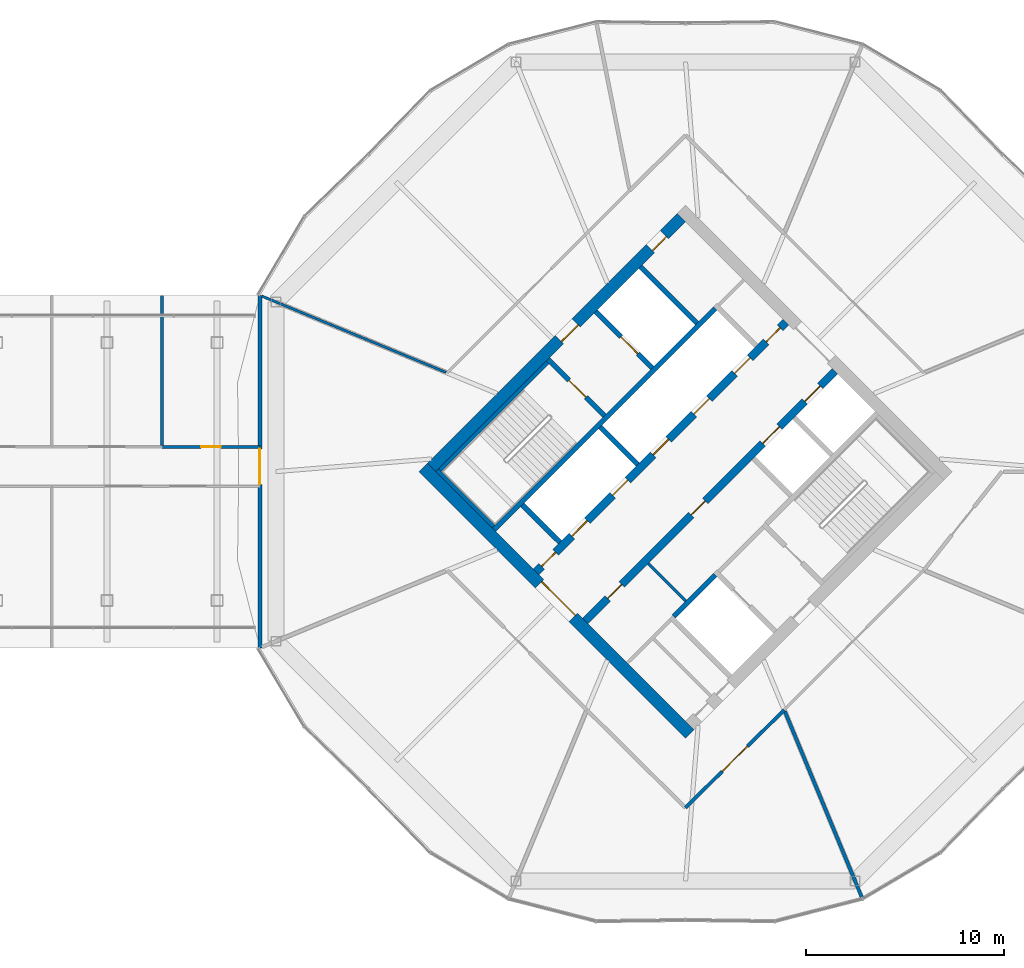
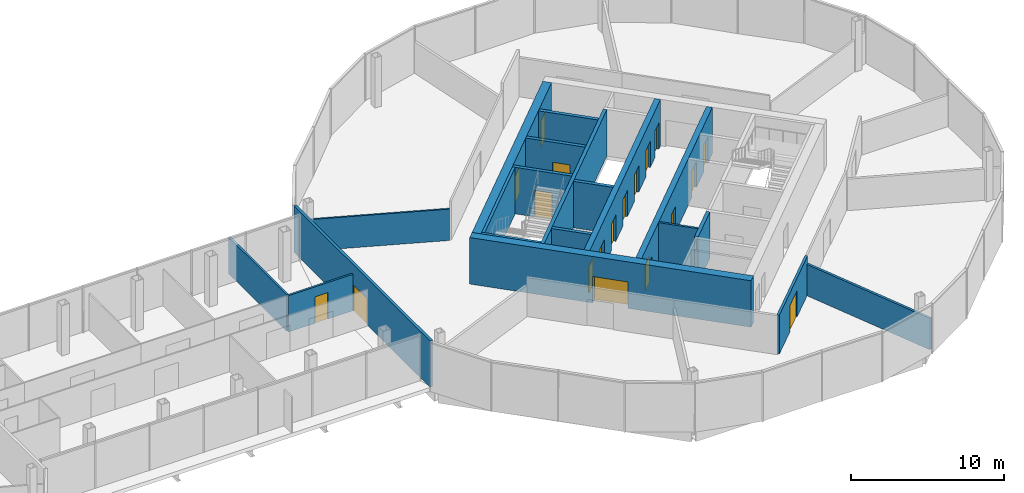
# One storey, part 23 of 26: 20 walls, 19 doors, 19 openings.
"""IFC4 building model written with IfcOpenShell, lengths in metres."""

from ifc_helpers import new_model, si_unit, direction, frame, frame_2d, origin, place, context, subcontext, project, spatial, rectangle, extrude, material, layer, layer_set, type_object, element, fill, save


model = new_model("IFC4")

# Units and contexts
model_context = context("Model", 3, precision=1e-05, world=origin(), true_north=direction((0.0, 1.0)))
body_context = subcontext(model_context, "Body", "Model", "MODEL_VIEW")
ifc_project = project(units=[si_unit("LENGTHUNIT", "METRE"), si_unit("AREAUNIT", "SQUARE_METRE"), si_unit("VOLUMEUNIT", "CUBIC_METRE"), si_unit("PLANEANGLEUNIT", "RADIAN"), si_unit("MASSUNIT", "GRAM", prefix="KILO")], contexts=[model_context])

# Site, building, storey
site_placement = place(None, origin())
site = spatial("IfcSite", under=ifc_project, at=site_placement, CompositionType="ELEMENT")
building_placement = place(site_placement, origin())
building = spatial("IfcBuilding", under=site, at=building_placement, Name="Ogive Gate Towers", CompositionType="ELEMENT")
storey_placement = place(building_placement, frame((0.0, 0.0, 148.800048828125)))
storey = spatial("IfcBuildingStorey", under=building, at=storey_placement, Name="L35", CompositionType="ELEMENT", Elevation=148.800048828125)

# Wall
ifc_material_1 = material(Name="Gypsum board acoustic partition")
ifc_layer_1 = layer(ifc_material_1, 0.175048828125)
ifc_layer_set_1 = layer_set([ifc_layer_1], Name="Acoustic partition 175")
wall_type_1 = type_object("IfcWallType", Name="Acoustic partition 175", PredefinedType="PARTITIONING", material=ifc_layer_set_1)
wall_1_placement = place(storey_placement, frame((44.885986328125, -21.452392578125, 0.0), z_axis=(0.0, 0.0, 1.0), x_axis=(-0.382693022058, 0.923875560272, 0.0)))
element("IfcWall", 1, at=wall_1_placement, inside=storey, type_object=wall_type_1, Name="Partition T2-L35-008", PredefinedType="PARTITIONING", context=body_context, shape_type="SweptSolid", body=[
    extrude(rectangle(XDim=10.13134765625, YDim=0.175048828125, at=frame_2d((5.065673828125, 0.0))), origin(), (0.0, 0.0, 1.0), 2.5),
])

# Wall, opening, door
wall_2_placement = place(storey_placement, frame((36.0, -16.9423828125, 0.0), z_axis=(0.0, 0.0, 1.0), x_axis=(0.710271300177, 0.703928036198, 0.0)))
wall_2 = element("IfcWall", 2, at=wall_2_placement, inside=storey, type_object=wall_type_1, Name="Partition T2-L35-011", PredefinedType="PARTITIONING", context=body_context, shape_type="SweptSolid", body=[
    extrude(rectangle(XDim=7.0048828125, YDim=0.175048828125, at=frame_2d((3.50244140625, 0.0))), origin(), (0.0, 0.0, 1.0), 3.099853515625),
])
opening_1_placement = place(wall_2_placement, frame((2.60205078125, 0.0, 0.0)))
opening_1 = element("IfcOpeningElement", 3, at=opening_1_placement, cuts=wall_2, Name="Opening T2-L35-D02", PredefinedType="OPENING", context=body_context, shape_type="SweptSolid", body=[
    extrude(rectangle(XDim=1.800048828125, YDim=2.10009765625, at=frame_2d((0.89990234375, 1.050048828125))), frame((0.0, 0.09765625, 0.0), z_axis=(0.0, -1.0, 0.0), x_axis=(1.0, 0.0, 0.0)), (0.0, 0.0, 1.0), 0.195068359375),
])
ifc_material_2 = material(Name="Timber door", Category="wood")
door_type_1 = type_object("IfcDoorType", Name="Door pair 1800", OperationType="NOTDEFINED", PredefinedType="DOOR", material=ifc_material_2)
door_1_placement = place(opening_1_placement, origin())
door_1 = element("IfcDoor", 4, at=door_1_placement, inside=storey, type_object=door_type_1, Name="Door T2-L35-D02", OperationType="DOUBLE_DOOR_DOUBLE_SWING", OverallHeight=2.10009765625, OverallWidth=1.800048828125, PredefinedType="DOOR", context=body_context, shape_type="SweptSolid", body=[
    extrude(rectangle(XDim=1.800048828125, YDim=2.10009765625, at=frame_2d((0.89990234375, 1.050048828125))), frame((0.0, 0.02490234375, 0.0), z_axis=(0.0, -1.0, 0.0), x_axis=(1.0, 0.0, 0.0)), (0.0, 0.0, 1.0), 0.050048828125),
])
fill(opening_1, door_1)

# Wall, openings, doors
ifc_material_3 = material(Name="Concrete C60/75", Category="concrete")
ifc_layer_2 = layer(ifc_material_3, 0.60009765625)
ifc_layer_set_2 = layer_set([ifc_layer_2], Name="Core wall 600 mm")
wall_type_2 = type_object("IfcWallType", Name="Core wall 600 mm", PredefinedType="SHEAR", material=ifc_layer_set_2)
wall_3_placement = place(storey_placement, frame((23.201416015625, 0.212158203125, 0.0), z_axis=(0.0, 0.0, 1.0), x_axis=(0.707106781187, 0.707106781187, 0.0)))
wall_3 = element("IfcWall", 5, at=wall_3_placement, inside=storey, type_object=wall_type_2, Name="T2 L35 Core wall 600 mm", PredefinedType="SHEAR", context=body_context, shape_type="SweptSolid", body=[
    extrude(rectangle(XDim=17.7998046875, YDim=0.60009765625, at=frame_2d((8.89990234375, 0.0))), origin(), (0.0, 0.0, 1.0), 3.699951171875),
])
opening_2_placement = place(wall_3_placement, frame((9.10009765625, 0.0, 0.0)))
opening_2 = element("IfcOpeningElement", 6, at=opening_2_placement, cuts=wall_3, Name="Opening KD-T2-L35-18", PredefinedType="OPENING", context=body_context, shape_type="SweptSolid", body=[
    extrude(rectangle(XDim=1.199951171875, YDim=2.10009765625, at=frame_2d((0.60009765625, 1.050048828125))), frame((0.0, 0.31005859375, 0.0), z_axis=(0.0, -1.0, 0.0), x_axis=(1.0, 0.0, 0.0)), (0.0, 0.0, 1.0), 0.6201171875),
])
opening_3_placement = place(wall_3_placement, frame((15.60009765625, 0.0, 0.0)))
opening_3 = element("IfcOpeningElement", 7, at=opening_3_placement, cuts=wall_3, Name="Opening KD-T2-L35-20", PredefinedType="OPENING", context=body_context, shape_type="SweptSolid", body=[
    extrude(rectangle(XDim=1.0, YDim=2.10009765625, at=frame_2d((0.5, 1.050048828125))), frame((0.0, 0.31005859375, 0.0), z_axis=(0.0, -1.0, 0.0), x_axis=(1.0, 0.0, 0.0)), (0.0, 0.0, 1.0), 0.6201171875),
])
door_type_2 = type_object("IfcDoorType", Name="Accessible WC door 1000 x 2100", OperationType="NOTDEFINED", PredefinedType="DOOR", material=ifc_material_2)
door_2_placement = place(opening_3_placement, origin())
door_2 = element("IfcDoor", 8, at=door_2_placement, inside=storey, type_object=door_type_2, Name="T2 L35 Core door", OperationType="SINGLE_SWING_LEFT", OverallHeight=2.10009765625, OverallWidth=1.0, PredefinedType="DOOR", context=body_context, shape_type="SweptSolid", body=[
    extrude(rectangle(XDim=1.0, YDim=2.10009765625, at=frame_2d((0.5, 1.050048828125))), frame((0.0, -0.125, 0.0), z_axis=(0.0, -1.0, 0.0), x_axis=(1.0, 0.0, 0.0)), (0.0, 0.0, 1.0), 0.050048828125),
])
fill(opening_3, door_2)
ifc_material_4 = material(Name="Steel fire door", Category="steel")
door_type_3 = type_object("IfcDoorType", Name="Core door FD60S 1200 x 2100", OperationType="NOTDEFINED", PredefinedType="DOOR", material=ifc_material_4)
door_3_placement = place(opening_2_placement, origin())
door_3 = element("IfcDoor", 9, at=door_3_placement, inside=storey, type_object=door_type_3, Name="T2 L35 Fire-fighting lobby door", OperationType="SINGLE_SWING_LEFT", OverallHeight=2.10009765625, OverallWidth=1.199951171875, PredefinedType="DOOR", context=body_context, shape_type="SweptSolid", body=[
    extrude(rectangle(XDim=1.199951171875, YDim=2.10009765625, at=frame_2d((0.60009765625, 1.050048828125))), frame((0.0, -0.125, 0.0), z_axis=(0.0, -1.0, 0.0), x_axis=(1.0, 0.0, 0.0)), (0.0, 0.0, 1.0), 0.050048828125),
])
fill(opening_2, door_3)

# Wall, opening, door
wall_4_placement = place(storey_placement, frame((36.212158203125, -13.222900390625, 0.0), z_axis=(0.0, 0.0, 1.0), x_axis=(-0.707106781187, 0.707106781187, 0.0)))
wall_4 = element("IfcWall", 10, at=wall_4_placement, inside=storey, type_object=wall_type_2, Name="T2 L35 Core wall 600 mm", PredefinedType="SHEAR", context=body_context, shape_type="SweptSolid", body=[
    extrude(rectangle(XDim=19.0, YDim=0.60009765625, at=frame_2d((9.5, 0.0))), origin(), (0.0, 0.0, 1.0), 3.699951171875),
])
opening_4_placement = place(wall_4_placement, frame((8.300048828125, 0.0, 0.0)))
opening_4 = element("IfcOpeningElement", 11, at=opening_4_placement, cuts=wall_4, Name="Opening KD-T2-L35-01", PredefinedType="OPENING", context=body_context, shape_type="SweptSolid", body=[
    extrude(rectangle(XDim=2.39990234375, YDim=2.10009765625, at=frame_2d((1.199951171875, 1.050048828125))), frame((0.0, 0.31005859375, 0.0), z_axis=(0.0, -1.0, 0.0), x_axis=(1.0, 0.0, 0.0)), (0.0, 0.0, 1.0), 0.6201171875),
])
door_type_4 = type_object("IfcDoorType", Name="Core double door FD60S 2400 x 2100", OperationType="DOUBLE_DOOR_SINGLE_SWING", PredefinedType="DOOR", material=ifc_material_4)
door_4_placement = place(opening_4_placement, origin())
door_4 = element("IfcDoor", 12, at=door_4_placement, inside=storey, type_object=door_type_4, Name="T2 L35 Core door double", OperationType="DOUBLE_DOOR_SINGLE_SWING", OverallHeight=2.10009765625, OverallWidth=2.39990234375, PredefinedType="DOOR", context=body_context, shape_type="SweptSolid", body=[
    extrude(rectangle(XDim=2.39990234375, YDim=2.10009765625, at=frame_2d((1.199951171875, 1.050048828125))), frame((0.0, -0.125, 0.0), z_axis=(0.0, -1.0, 0.0), x_axis=(1.0, 0.0, 0.0)), (0.0, 0.0, 1.0), 0.050048828125),
])
fill(opening_4, door_4)

# Wall
ifc_material_5 = material(Name="Gypsum board partition")
ifc_layer_3 = layer(ifc_material_5, 0.125)
ifc_layer_set_3 = layer_set([ifc_layer_3], Name="Partition 125")
wall_type_3 = type_object("IfcWallType", Name="Partition 125", PredefinedType="PARTITIONING", material=ifc_layer_set_3)
wall_5_placement = place(storey_placement, frame((14.6474609375, 8.844482421875, 0.0), z_axis=(0.0, 0.0, 1.0), x_axis=(0.923883575944, -0.382673670509, 0.0)))
element("IfcWall", 13, at=wall_5_placement, inside=storey, type_object=wall_type_3, Name="Partition T2-L35-005", PredefinedType="PARTITIONING", context=body_context, shape_type="SweptSolid", body=[
    extrude(rectangle(XDim=10.04833984375, YDim=0.125, at=frame_2d((5.024169921875, 0.0))), origin(), (0.0, 0.0, 1.0), 2.5),
])

# Wall, opening, door
ifc_material_6 = material(Name="Fire-rated gypsum board partition")
ifc_layer_4 = layer(ifc_material_6, 0.14990234375)
ifc_layer_set_4 = layer_set([ifc_layer_4], Name="Partition wall 150")
wall_type_4 = type_object("IfcWallType", Name="Partition wall 150", PredefinedType="PARTITIONING", material=ifc_layer_set_4)
wall_6_placement = place(storey_placement, frame((9.6171875, 1.25, 0.0), z_axis=(0.0, 0.0, 1.0), x_axis=(1.0, 0.0, 0.0)))
wall_6 = element("IfcWall", 14, at=wall_6_placement, inside=storey, type_object=wall_type_4, Name="L35 partition 006", PredefinedType="PARTITIONING", context=body_context, shape_type="SweptSolid", body=[
    extrude(rectangle(XDim=4.930419921875, YDim=0.14990234375, at=frame_2d((2.46533203125, 0.0))), origin(), (0.0, 0.0, 1.0), 2.89990234375),
])
opening_5_placement = place(wall_6_placement, frame((1.965087890625, 0.0, 0.0)))
opening_5 = element("IfcOpeningElement", 15, at=opening_5_placement, cuts=wall_6, Name="Opening PO261", PredefinedType="OPENING", context=body_context, shape_type="SweptSolid", body=[
    extrude(rectangle(XDim=1.0, YDim=2.10009765625, at=frame_2d((0.5, 1.050048828125))), frame((0.0, 0.0849609375, 0.0), z_axis=(0.0, -1.0, 0.0), x_axis=(1.0, 0.0, 0.0)), (0.0, 0.0, 1.0), 0.169921875),
])
door_type_5 = type_object("IfcDoorType", Name="Interior fire door FD60S 1000 x 2100", OperationType="NOTDEFINED", PredefinedType="DOOR", material=ifc_material_4)
door_5_placement = place(opening_5_placement, origin())
door_5 = element("IfcDoor", 16, at=door_5_placement, inside=storey, type_object=door_type_5, Name="Door PO261", OperationType="SINGLE_SWING_LEFT", OverallHeight=2.10009765625, OverallWidth=1.0, PredefinedType="DOOR", context=body_context, shape_type="SweptSolid", body=[
    extrude(rectangle(XDim=1.0, YDim=2.10009765625, at=frame_2d((0.5, 1.050048828125))), frame((0.0, 0.02490234375, 0.0), z_axis=(0.0, -1.0, 0.0), x_axis=(1.0, 0.0, 0.0)), (0.0, 0.0, 1.0), 0.050048828125),
])
fill(opening_5, door_5)

# Wall
wall_7_placement = place(storey_placement, frame((9.6171875, 1.324951171875, 0.0), z_axis=(0.0, 0.0, 1.0), x_axis=(0.0, 1.0, 0.0)))
element("IfcWall", 17, at=wall_7_placement, inside=storey, type_object=wall_type_4, Name="L35 partition 018", PredefinedType="PARTITIONING", context=body_context, shape_type="SweptSolid", body=[
    extrude(rectangle(XDim=7.56103515625, YDim=0.14990234375, at=frame_2d((3.780517578125, 0.0))), origin(), (0.0, 0.0, 1.0), 2.89990234375),
])

# Wall, opening, door
ifc_material_7 = material(Name="Masonry block wall", Category="masonry")
ifc_layer_5 = layer(ifc_material_7, 0.199951171875)
ifc_layer_set_5 = layer_set([ifc_layer_5], Name="Partition wall 200")
wall_type_5 = type_object("IfcWallType", Name="Partition wall 200", PredefinedType="PARTITIONING", material=ifc_layer_set_5)
wall_8_placement = place(storey_placement, frame((14.547607421875, -8.885986328125, 0.0), z_axis=(0.0, 0.0, 1.0), x_axis=(0.0, 1.0, 0.0)))
wall_8 = element("IfcWall", 18, at=wall_8_placement, inside=storey, type_object=wall_type_5, Name="L35 wall 021", PredefinedType="PARTITIONING", context=body_context, shape_type="SweptSolid", body=[
    extrude(rectangle(XDim=17.77197265625, YDim=0.199951171875, at=frame_2d((8.885986328125, 0.0))), origin(), (0.0, 0.0, 1.0), 3.699951171875),
])
opening_6_placement = place(wall_8_placement, frame((8.23583984375, 0.0, 0.0)))
opening_6 = element("IfcOpeningElement", 19, at=opening_6_placement, cuts=wall_8, Name="Opening PO267", PredefinedType="OPENING", context=body_context, shape_type="SweptSolid", body=[
    extrude(rectangle(XDim=1.800048828125, YDim=2.10009765625, at=frame_2d((0.89990234375, 1.050048828125))), frame((0.0, 0.10986328125, 0.0), z_axis=(0.0, -1.0, 0.0), x_axis=(1.0, 0.0, 0.0)), (0.0, 0.0, 1.0), 0.219970703125),
])
door_type_6 = type_object("IfcDoorType", Name="Interior fire double door FD120S 1800 x 2100", OperationType="NOTDEFINED", PredefinedType="DOOR", material=ifc_material_4)
door_6_placement = place(opening_6_placement, origin())
door_6 = element("IfcDoor", 20, at=door_6_placement, inside=storey, type_object=door_type_6, Name="Door PO267", OperationType="DOUBLE_DOOR_DOUBLE_SWING", OverallHeight=2.10009765625, OverallWidth=1.800048828125, PredefinedType="DOOR", context=body_context, shape_type="SweptSolid", body=[
    extrude(rectangle(XDim=1.800048828125, YDim=2.10009765625, at=frame_2d((0.89990234375, 1.050048828125))), frame((0.0, 0.02490234375, 0.0), z_axis=(0.0, -1.0, 0.0), x_axis=(1.0, 0.0, 0.0)), (0.0, 0.0, 1.0), 0.050048828125),
])
fill(opening_6, door_6)

# Walls
ifc_layer_6 = layer(ifc_material_5, 0.14990234375)
ifc_layer_set_6 = layer_set([ifc_layer_6], Name="Room partition 150 mm")
wall_type_6 = type_object("IfcWallType", Name="Room partition 150 mm", PredefinedType="PARTITIONING", material=ifc_layer_set_6)
wall_9_placement = place(storey_placement, frame((36.017578125, -6.523193359375, 0.0), z_axis=(0.0, 0.0, 1.0), x_axis=(-0.707061145201, 0.707152414227, 0.0)))
element("IfcWall", 21, at=wall_9_placement, inside=storey, type_object=wall_type_6, Name="T2 L35 Room partition 150 mm", PredefinedType="PARTITIONING", context=body_context, shape_type="SweptSolid", body=[
    extrude(rectangle(XDim=2.675048828125, YDim=0.14990234375, at=frame_2d((1.33740234375, 0.0))), origin(), (0.0, 0.0, 1.0), 3.699951171875),
])
ifc_layer_7 = layer(ifc_material_3, 0.25)
ifc_layer_set_7 = layer_set([ifc_layer_7], Name="Shaft wall 250 mm")
wall_type_7 = type_object("IfcWallType", Name="Shaft wall 250 mm", PredefinedType="SHEAR", material=ifc_layer_set_7)
wall_10_placement = place(storey_placement, frame((35.41650390625, -7.30078125, 0.0), z_axis=(0.0, 0.0, 1.0), x_axis=(0.707148157867, 0.707065402085, 0.0)))
element("IfcWall", 22, at=wall_10_placement, inside=storey, type_object=wall_type_7, Name="T2 L35 Shaft wall 250 mm", PredefinedType="SHEAR", context=body_context, shape_type="SweptSolid", body=[
    extrude(rectangle(XDim=2.9501953125, YDim=0.25, at=frame_2d((1.47509765625, 0.0))), origin(), (0.0, 0.0, 1.0), 3.699951171875),
])
wall_11_placement = place(storey_placement, frame((26.347900390625, -2.9345703125, 0.0), z_axis=(0.0, 0.0, 1.0), x_axis=(0.707106781187, 0.707106781187, 0.0)))
element("IfcWall", 23, at=wall_11_placement, inside=storey, type_object=wall_type_7, Name="T2 L35 Shaft wall 250 mm", PredefinedType="SHEAR", context=body_context, shape_type="SweptSolid", body=[
    extrude(rectangle(XDim=15.775146484375, YDim=0.25, at=frame_2d((7.8876953125, 0.0))), origin(), (0.0, 0.0, 1.0), 3.699951171875),
])
for number, where, z_axis, x_axis, name in (
    (24, (29.67138671875, -3.57080078125, 0.0), (0.0, 0.0, 1.0), (-0.707152414227, 0.707061145201, 0.0), "T2 L35 Shaft wall 250 mm"),
    (25, (33.595703125, 0.353515625, 0.0), (0.0, 0.0, 1.0), (-0.707061145201, 0.707152414227, 0.0), "T2 L35 Shaft wall 250 mm"),
):
    element("IfcWall", number, at=place(storey_placement, frame(where, z_axis=z_axis, x_axis=x_axis)), inside=storey, type_object=wall_type_7, Name=name, PredefinedType="SHEAR", context=body_context, shape_type="SweptSolid", body=[
        extrude(rectangle(XDim=2.675048828125, YDim=0.25, at=frame_2d((1.33740234375, 0.0))), origin(), (0.0, 0.0, 1.0), 3.699951171875),
    ])

# Wall, opening, door
wall_12_placement = place(storey_placement, frame((31.91650390625, 2.810791015625, 0.0), z_axis=(0.0, 0.0, 1.0), x_axis=(-0.707106781187, 0.707106781187, 0.0)))
wall_12 = element("IfcWall", 26, at=wall_12_placement, inside=storey, type_object=wall_type_7, Name="T2 L35 Shaft wall 250 mm", PredefinedType="SHEAR", context=body_context, shape_type="SweptSolid", body=[
    extrude(rectangle(XDim=4.025146484375, YDim=0.25, at=frame_2d((2.0126953125, 0.0))), origin(), (0.0, 0.0, 1.0), 3.699951171875),
])
opening_7_placement = place(wall_12_placement, frame((1.324951171875, 0.0, 0.0)))
opening_7 = element("IfcOpeningElement", 27, at=opening_7_placement, cuts=wall_12, Name="Opening KD-T2-L35-16", PredefinedType="OPENING", context=body_context, shape_type="SweptSolid", body=[
    extrude(rectangle(XDim=1.199951171875, YDim=2.10009765625, at=frame_2d((0.60009765625, 1.050048828125))), frame((0.0, 0.135009765625, 0.0), z_axis=(0.0, -1.0, 0.0), x_axis=(1.0, 0.0, 0.0)), (0.0, 0.0, 1.0), 0.27001953125),
])
door_7_placement = place(opening_7_placement, origin())
door_7 = element("IfcDoor", 28, at=door_7_placement, inside=storey, type_object=door_type_3, Name="T2 L35 Stair door", OperationType="SINGLE_SWING_LEFT", OverallHeight=2.10009765625, OverallWidth=1.199951171875, PredefinedType="DOOR", context=body_context, shape_type="SweptSolid", body=[
    extrude(rectangle(XDim=1.199951171875, YDim=2.10009765625, at=frame_2d((0.60009765625, 1.050048828125))), frame((0.0, 0.02490234375, 0.0), z_axis=(0.0, -1.0, 0.0), x_axis=(1.0, 0.0, 0.0)), (0.0, 0.0, 1.0), 0.050048828125),
])
fill(opening_7, door_7)

wall_13_placement = place(storey_placement, frame((34.320556640625, 5.21484375, 0.0), z_axis=(0.0, 0.0, 1.0), x_axis=(-0.70707645213, 0.707137108942, 0.0)))
wall_13 = element("IfcWall", 29, at=wall_13_placement, inside=storey, type_object=wall_type_7, Name="T2 L35 Shaft wall 250 mm", PredefinedType="SHEAR", context=body_context, shape_type="SweptSolid", body=[
    extrude(rectangle(XDim=4.02490234375, YDim=0.25, at=frame_2d((2.012451171875, 0.0))), origin(), (0.0, 0.0, 1.0), 3.699951171875),
])
opening_8_placement = place(wall_13_placement, frame((1.02490234375, 0.0, 0.0)))
opening_8 = element("IfcOpeningElement", 30, at=opening_8_placement, cuts=wall_13, Name="Opening LD-T2-L35-12", PredefinedType="OPENING", context=body_context, shape_type="SweptSolid", body=[
    extrude(rectangle(XDim=1.199951171875, YDim=2.10009765625, at=frame_2d((0.60009765625, 1.050048828125))), frame((0.0, 0.135009765625, 0.0), z_axis=(0.0, -1.0, 0.0), x_axis=(1.0, 0.0, 0.0)), (0.0, 0.0, 1.0), 0.27001953125),
])
ifc_material_8 = material(Name="Stainless steel landing door", Category="steel")
door_type_7 = type_object("IfcDoorType", Name="Landing door 1200 x 2100", OperationType="SLIDING_TO_LEFT", PredefinedType="DOOR", material=ifc_material_8)
door_8_placement = place(opening_8_placement, origin())
door_8 = element("IfcDoor", 31, at=door_8_placement, inside=storey, type_object=door_type_7, Name="T2 L35 Lift landing door FF1", OperationType="SLIDING_TO_LEFT", OverallHeight=2.10009765625, OverallWidth=1.199951171875, PredefinedType="DOOR", context=body_context, shape_type="SweptSolid", body=[
    extrude(rectangle(XDim=1.199951171875, YDim=2.10009765625, at=frame_2d((0.60009765625, 1.050048828125))), frame((0.0, 0.02490234375, 0.0), z_axis=(0.0, -1.0, 0.0), x_axis=(1.0, 0.0, 0.0)), (0.0, 0.0, 1.0), 0.050048828125),
])
fill(opening_8, door_8)

# Wall
wall_14_placement = place(storey_placement, frame((36.58349609375, 7.477783203125, 0.0), z_axis=(0.0, 0.0, 1.0), x_axis=(-0.707137108942, 0.70707645213, 0.0)))
element("IfcWall", 32, at=wall_14_placement, inside=storey, type_object=wall_type_7, Name="T2 L35 Shaft wall 250 mm", PredefinedType="SHEAR", context=body_context, shape_type="SweptSolid", body=[
    extrude(rectangle(XDim=4.02490234375, YDim=0.25, at=frame_2d((2.012451171875, 0.0))), origin(), (0.0, 0.0, 1.0), 3.699951171875),
])

# Wall, openings, doors
ifc_layer_8 = layer(ifc_material_3, 0.39990234375)
ifc_layer_set_8 = layer_set([ifc_layer_8], Name="Spine wall 400 mm")
wall_type_8 = type_object("IfcWallType", Name="Spine wall 400 mm", PredefinedType="SHEAR", material=ifc_layer_set_8)
wall_15_placement = place(storey_placement, frame((30.944091796875, -7.53076171875, 0.0), z_axis=(0.0, 0.0, 1.0), x_axis=(0.707106781187, 0.707106781187, 0.0)))
wall_15 = element("IfcWall", 33, at=wall_15_placement, inside=storey, type_object=wall_type_8, Name="T2 L35 Spine wall 400 mm", PredefinedType="SHEAR", context=body_context, shape_type="SweptSolid", body=[
    extrude(rectangle(XDim=17.80029296875, YDim=0.39990234375, at=frame_2d((8.900146484375, 0.0))), origin(), (0.0, 0.0, 1.0), 3.699951171875),
])
opening_9_placement = place(wall_15_placement, frame((12.64990234375, 0.0, 0.0)))
opening_9 = element("IfcOpeningElement", 34, at=opening_9_placement, cuts=wall_15, Name="Opening LD-T2-L35-10", PredefinedType="OPENING", context=body_context, shape_type="SweptSolid", body=[
    extrude(rectangle(XDim=1.199951171875, YDim=2.10009765625, at=frame_2d((0.60009765625, 1.050048828125))), frame((0.0, 0.2099609375, 0.0), z_axis=(0.0, -1.0, 0.0), x_axis=(1.0, 0.0, 0.0)), (0.0, 0.0, 1.0), 0.419921875),
])
opening_10_placement = place(wall_15_placement, frame((15.64990234375, 0.0, 0.0)))
opening_10 = element("IfcOpeningElement", 35, at=opening_10_placement, cuts=wall_15, Name="Opening LD-T2-L35-11", PredefinedType="OPENING", context=body_context, shape_type="SweptSolid", body=[
    extrude(rectangle(XDim=1.10009765625, YDim=2.10009765625, at=frame_2d((0.550048828125, 1.050048828125))), frame((0.0, 0.2099609375, 0.0), z_axis=(0.0, -1.0, 0.0), x_axis=(1.0, 0.0, 0.0)), (0.0, 0.0, 1.0), 0.419921875),
])
opening_11_placement = place(wall_15_placement, frame((1.60009765625, 0.0, 0.0)))
opening_11 = element("IfcOpeningElement", 36, at=opening_11_placement, cuts=wall_15, Name="Opening KD-T2-L35-14", PredefinedType="OPENING", context=body_context, shape_type="SweptSolid", body=[
    extrude(rectangle(XDim=1.0, YDim=2.10009765625, at=frame_2d((0.5, 1.050048828125))), frame((0.0, 0.2099609375, 0.0), z_axis=(0.0, -1.0, 0.0), x_axis=(1.0, 0.0, 0.0)), (0.0, 0.0, 1.0), 0.419921875),
])
opening_12_placement = place(wall_15_placement, frame((7.550048828125, 0.0, 0.0)))
opening_12 = element("IfcOpeningElement", 37, at=opening_12_placement, cuts=wall_15, Name="Opening KD-T2-L35-15", PredefinedType="OPENING", context=body_context, shape_type="SweptSolid", body=[
    extrude(rectangle(XDim=1.0, YDim=2.10009765625, at=frame_2d((0.5, 1.050048828125))), frame((0.0, 0.2099609375, 0.0), z_axis=(0.0, -1.0, 0.0), x_axis=(1.0, 0.0, 0.0)), (0.0, 0.0, 1.0), 0.419921875),
])
door_type_8 = type_object("IfcDoorType", Name="Core door FD60S 1000 x 2100", OperationType="NOTDEFINED", PredefinedType="DOOR", material=ifc_material_4)
door_9_placement = place(opening_11_placement, origin())
door_9 = element("IfcDoor", 38, at=door_9_placement, inside=storey, type_object=door_type_8, Name="T2 L35 Core door", OperationType="SINGLE_SWING_LEFT", OverallHeight=2.10009765625, OverallWidth=1.0, PredefinedType="DOOR", context=body_context, shape_type="SweptSolid", body=[
    extrude(rectangle(XDim=1.0, YDim=2.10009765625, at=frame_2d((0.5, 1.050048828125))), frame((0.0, 0.02490234375, 0.0), z_axis=(0.0, -1.0, 0.0), x_axis=(1.0, 0.0, 0.0)), (0.0, 0.0, 1.0), 0.050048828125),
])
fill(opening_11, door_9)
door_10_placement = place(opening_12_placement, origin())
door_10 = element("IfcDoor", 39, at=door_10_placement, inside=storey, type_object=door_type_8, Name="T2 L35 Core door", OperationType="SINGLE_SWING_RIGHT", OverallHeight=2.10009765625, OverallWidth=1.0, PredefinedType="DOOR", context=body_context, shape_type="SweptSolid", body=[
    extrude(rectangle(XDim=1.0, YDim=2.10009765625, at=frame_2d((0.5, 1.050048828125))), frame((0.0, 0.02490234375, 0.0), z_axis=(0.0, -1.0, 0.0), x_axis=(1.0, 0.0, 0.0)), (0.0, 0.0, 1.0), 0.050048828125),
])
fill(opening_12, door_10)
door_type_9 = type_object("IfcDoorType", Name="Landing door 1100 x 2100", OperationType="SLIDING_TO_LEFT", PredefinedType="DOOR", material=ifc_material_8)
door_11_placement = place(opening_10_placement, origin())
door_11 = element("IfcDoor", 40, at=door_11_placement, inside=storey, type_object=door_type_9, Name="T2 L35 Lift landing door B6", OperationType="SLIDING_TO_LEFT", OverallHeight=2.10009765625, OverallWidth=1.10009765625, PredefinedType="DOOR", context=body_context, shape_type="SweptSolid", body=[
    extrude(rectangle(XDim=1.10009765625, YDim=2.10009765625, at=frame_2d((0.550048828125, 1.050048828125))), frame((0.0, 0.02490234375, 0.0), z_axis=(0.0, -1.0, 0.0), x_axis=(1.0, 0.0, 0.0)), (0.0, 0.0, 1.0), 0.050048828125),
])
fill(opening_10, door_11)
door_12_placement = place(opening_9_placement, origin())
door_12 = element("IfcDoor", 41, at=door_12_placement, inside=storey, type_object=door_type_7, Name="T2 L35 Lift landing door SVC", OperationType="SLIDING_TO_LEFT", OverallHeight=2.10009765625, OverallWidth=1.199951171875, PredefinedType="DOOR", context=body_context, shape_type="SweptSolid", body=[
    extrude(rectangle(XDim=1.199951171875, YDim=2.10009765625, at=frame_2d((0.60009765625, 1.050048828125))), frame((0.0, 0.02490234375, 0.0), z_axis=(0.0, -1.0, 0.0), x_axis=(1.0, 0.0, 0.0)), (0.0, 0.0, 1.0), 0.050048828125),
])
fill(opening_9, door_12)

wall_16_placement = place(storey_placement, frame((28.46923828125, -5.055908203125, 0.0), z_axis=(0.0, 0.0, 1.0), x_axis=(0.707106781187, 0.707106781187, 0.0)))
wall_16 = element("IfcWall", 42, at=wall_16_placement, inside=storey, type_object=wall_type_8, Name="T2 L35 Spine wall 400 mm", PredefinedType="SHEAR", context=body_context, shape_type="SweptSolid", body=[
    extrude(rectangle(XDim=17.80029296875, YDim=0.39990234375, at=frame_2d((8.900146484375, 0.0))), origin(), (0.0, 0.0, 1.0), 3.699951171875),
])
opening_13_placement = place(wall_16_placement, frame((0.39990234375, 0.0, 0.0)))
opening_13 = element("IfcOpeningElement", 43, at=opening_13_placement, cuts=wall_16, Name="Opening KD-T2-L35-03", PredefinedType="OPENING", context=body_context, shape_type="SweptSolid", body=[
    extrude(rectangle(XDim=1.0, YDim=2.10009765625, at=frame_2d((0.5, 1.050048828125))), frame((0.0, 0.2099609375, 0.0), z_axis=(0.0, -1.0, 0.0), x_axis=(1.0, 0.0, 0.0)), (0.0, 0.0, 1.0), 0.419921875),
])
opening_14_placement = place(wall_16_placement, frame((2.550048828125, 0.0, 0.0)))
opening_14 = element("IfcOpeningElement", 44, at=opening_14_placement, cuts=wall_16, Name="Opening LD-T2-L35-04", PredefinedType="OPENING", context=body_context, shape_type="SweptSolid", body=[
    extrude(rectangle(XDim=1.10009765625, YDim=2.10009765625, at=frame_2d((0.550048828125, 1.050048828125))), frame((0.0, 0.2099609375, 0.0), z_axis=(0.0, -1.0, 0.0), x_axis=(1.0, 0.0, 0.0)), (0.0, 0.0, 1.0), 0.419921875),
])
opening_15_placement = place(wall_16_placement, frame((5.449951171875, 0.0, 0.0)))
opening_15 = element("IfcOpeningElement", 45, at=opening_15_placement, cuts=wall_16, Name="Opening LD-T2-L35-05", PredefinedType="OPENING", context=body_context, shape_type="SweptSolid", body=[
    extrude(rectangle(XDim=1.10009765625, YDim=2.10009765625, at=frame_2d((0.550048828125, 1.050048828125))), frame((0.0, 0.2099609375, 0.0), z_axis=(0.0, -1.0, 0.0), x_axis=(1.0, 0.0, 0.0)), (0.0, 0.0, 1.0), 0.419921875),
])
opening_16_placement = place(wall_16_placement, frame((8.35009765625, 0.0, 0.0)))
opening_16 = element("IfcOpeningElement", 46, at=opening_16_placement, cuts=wall_16, Name="Opening LD-T2-L35-06", PredefinedType="OPENING", context=body_context, shape_type="SweptSolid", body=[
    extrude(rectangle(XDim=1.10009765625, YDim=2.10009765625, at=frame_2d((0.550048828125, 1.050048828125))), frame((0.0, 0.2099609375, 0.0), z_axis=(0.0, -1.0, 0.0), x_axis=(1.0, 0.0, 0.0)), (0.0, 0.0, 1.0), 0.419921875),
])
opening_17_placement = place(wall_16_placement, frame((11.25, 0.0, 0.0)))
opening_17 = element("IfcOpeningElement", 47, at=opening_17_placement, cuts=wall_16, Name="Opening LD-T2-L35-07", PredefinedType="OPENING", context=body_context, shape_type="SweptSolid", body=[
    extrude(rectangle(XDim=1.10009765625, YDim=2.10009765625, at=frame_2d((0.550048828125, 1.050048828125))), frame((0.0, 0.2099609375, 0.0), z_axis=(0.0, -1.0, 0.0), x_axis=(1.0, 0.0, 0.0)), (0.0, 0.0, 1.0), 0.419921875),
])
opening_18_placement = place(wall_16_placement, frame((14.14990234375, 0.0, 0.0)))
opening_18 = element("IfcOpeningElement", 48, at=opening_18_placement, cuts=wall_16, Name="Opening LD-T2-L35-08", PredefinedType="OPENING", context=body_context, shape_type="SweptSolid", body=[
    extrude(rectangle(XDim=1.10009765625, YDim=2.10009765625, at=frame_2d((0.550048828125, 1.050048828125))), frame((0.0, 0.2099609375, 0.0), z_axis=(0.0, -1.0, 0.0), x_axis=(1.0, 0.0, 0.0)), (0.0, 0.0, 1.0), 0.419921875),
])
opening_19_placement = place(wall_16_placement, frame((16.39990234375, 0.0, 0.0)))
opening_19 = element("IfcOpeningElement", 49, at=opening_19_placement, cuts=wall_16, Name="Opening KD-T2-L35-09", PredefinedType="OPENING", context=body_context, shape_type="SweptSolid", body=[
    extrude(rectangle(XDim=1.0, YDim=2.10009765625, at=frame_2d((0.5, 1.050048828125))), frame((0.0, 0.2099609375, 0.0), z_axis=(0.0, -1.0, 0.0), x_axis=(1.0, 0.0, 0.0)), (0.0, 0.0, 1.0), 0.419921875),
])
door_13_placement = place(opening_13_placement, origin())
door_13 = element("IfcDoor", 50, at=door_13_placement, inside=storey, type_object=door_type_8, Name="T2 L35 Core door", OperationType="SINGLE_SWING_RIGHT", OverallHeight=2.10009765625, OverallWidth=1.0, PredefinedType="DOOR", context=body_context, shape_type="SweptSolid", body=[
    extrude(rectangle(XDim=1.0, YDim=2.10009765625, at=frame_2d((0.5, 1.050048828125))), frame((0.0, 0.02490234375, 0.0), z_axis=(0.0, -1.0, 0.0), x_axis=(1.0, 0.0, 0.0)), (0.0, 0.0, 1.0), 0.050048828125),
])
fill(opening_13, door_13)
door_14_placement = place(opening_19_placement, origin())
door_14 = element("IfcDoor", 51, at=door_14_placement, inside=storey, type_object=door_type_8, Name="T2 L35 Core door", OperationType="SINGLE_SWING_RIGHT", OverallHeight=2.10009765625, OverallWidth=1.0, PredefinedType="DOOR", context=body_context, shape_type="SweptSolid", body=[
    extrude(rectangle(XDim=1.0, YDim=2.10009765625, at=frame_2d((0.5, 1.050048828125))), frame((0.0, 0.02490234375, 0.0), z_axis=(0.0, -1.0, 0.0), x_axis=(1.0, 0.0, 0.0)), (0.0, 0.0, 1.0), 0.050048828125),
])
fill(opening_19, door_14)
door_15_placement = place(opening_14_placement, origin())
door_15 = element("IfcDoor", 52, at=door_15_placement, inside=storey, type_object=door_type_9, Name="T2 L35 Lift landing door B1", OperationType="SLIDING_TO_LEFT", OverallHeight=2.10009765625, OverallWidth=1.10009765625, PredefinedType="DOOR", context=body_context, shape_type="SweptSolid", body=[
    extrude(rectangle(XDim=1.10009765625, YDim=2.10009765625, at=frame_2d((0.550048828125, 1.050048828125))), frame((0.0, 0.02490234375, 0.0), z_axis=(0.0, -1.0, 0.0), x_axis=(1.0, 0.0, 0.0)), (0.0, 0.0, 1.0), 0.050048828125),
])
fill(opening_14, door_15)
door_16_placement = place(opening_15_placement, origin())
door_16 = element("IfcDoor", 53, at=door_16_placement, inside=storey, type_object=door_type_9, Name="T2 L35 Lift landing door B2", OperationType="SLIDING_TO_LEFT", OverallHeight=2.10009765625, OverallWidth=1.10009765625, PredefinedType="DOOR", context=body_context, shape_type="SweptSolid", body=[
    extrude(rectangle(XDim=1.10009765625, YDim=2.10009765625, at=frame_2d((0.550048828125, 1.050048828125))), frame((0.0, 0.02490234375, 0.0), z_axis=(0.0, -1.0, 0.0), x_axis=(1.0, 0.0, 0.0)), (0.0, 0.0, 1.0), 0.050048828125),
])
fill(opening_15, door_16)
door_17_placement = place(opening_16_placement, origin())
door_17 = element("IfcDoor", 54, at=door_17_placement, inside=storey, type_object=door_type_9, Name="T2 L35 Lift landing door B3", OperationType="SLIDING_TO_LEFT", OverallHeight=2.10009765625, OverallWidth=1.10009765625, PredefinedType="DOOR", context=body_context, shape_type="SweptSolid", body=[
    extrude(rectangle(XDim=1.10009765625, YDim=2.10009765625, at=frame_2d((0.550048828125, 1.050048828125))), frame((0.0, 0.02490234375, 0.0), z_axis=(0.0, -1.0, 0.0), x_axis=(1.0, 0.0, 0.0)), (0.0, 0.0, 1.0), 0.050048828125),
])
fill(opening_16, door_17)
door_18_placement = place(opening_17_placement, origin())
door_18 = element("IfcDoor", 55, at=door_18_placement, inside=storey, type_object=door_type_9, Name="T2 L35 Lift landing door B4", OperationType="SLIDING_TO_LEFT", OverallHeight=2.10009765625, OverallWidth=1.10009765625, PredefinedType="DOOR", context=body_context, shape_type="SweptSolid", body=[
    extrude(rectangle(XDim=1.10009765625, YDim=2.10009765625, at=frame_2d((0.550048828125, 1.050048828125))), frame((0.0, 0.02490234375, 0.0), z_axis=(0.0, -1.0, 0.0), x_axis=(1.0, 0.0, 0.0)), (0.0, 0.0, 1.0), 0.050048828125),
])
fill(opening_17, door_18)
door_19_placement = place(opening_18_placement, origin())
door_19 = element("IfcDoor", 56, at=door_19_placement, inside=storey, type_object=door_type_9, Name="T2 L35 Lift landing door B5", OperationType="SLIDING_TO_LEFT", OverallHeight=2.10009765625, OverallWidth=1.10009765625, PredefinedType="DOOR", context=body_context, shape_type="SweptSolid", body=[
    extrude(rectangle(XDim=1.10009765625, YDim=2.10009765625, at=frame_2d((0.550048828125, 1.050048828125))), frame((0.0, 0.02490234375, 0.0), z_axis=(0.0, -1.0, 0.0), x_axis=(1.0, 0.0, 0.0)), (0.0, 0.0, 1.0), 0.050048828125),
])
fill(opening_18, door_19)

# Walls
ifc_layer_9 = layer(ifc_material_3, 0.199951171875)
ifc_layer_set_9 = layer_set([ifc_layer_9], Name="Stair wall 200 mm")
wall_type_9 = type_object("IfcWallType", Name="Stair wall 200 mm", PredefinedType="SHEAR", material=ifc_layer_set_9)
wall_17_placement = place(storey_placement, frame((23.62548828125, 0.07080078125, 0.0), z_axis=(0.0, 0.0, 1.0), x_axis=(0.707122685701, 0.707090876314, 0.0)))
element("IfcWall", 57, at=wall_17_placement, inside=storey, type_object=wall_type_9, Name="T2 L35 Stair wall 200 mm", PredefinedType="SHEAR", context=body_context, shape_type="SweptSolid", body=[
    extrude(rectangle(XDim=7.675048828125, YDim=0.199951171875, at=frame_2d((3.83740234375, 0.0))), origin(), (0.0, 0.0, 1.0), 3.699951171875),
])
wall_18_placement = place(storey_placement, frame((26.330322265625, -2.775390625, 0.0), z_axis=(0.0, 0.0, 1.0), x_axis=(-0.707106781187, 0.707106781187, 0.0)))
element("IfcWall", 58, at=wall_18_placement, inside=storey, type_object=wall_type_9, Name="T2 L35 Stair wall 200 mm", PredefinedType="SHEAR", context=body_context, shape_type="SweptSolid", body=[
    extrude(rectangle(XDim=4.025146484375, YDim=0.199951171875, at=frame_2d((2.0126953125, 0.0))), origin(), (0.0, 0.0, 1.0), 3.699951171875),
])

save(model, "model.ifc")
